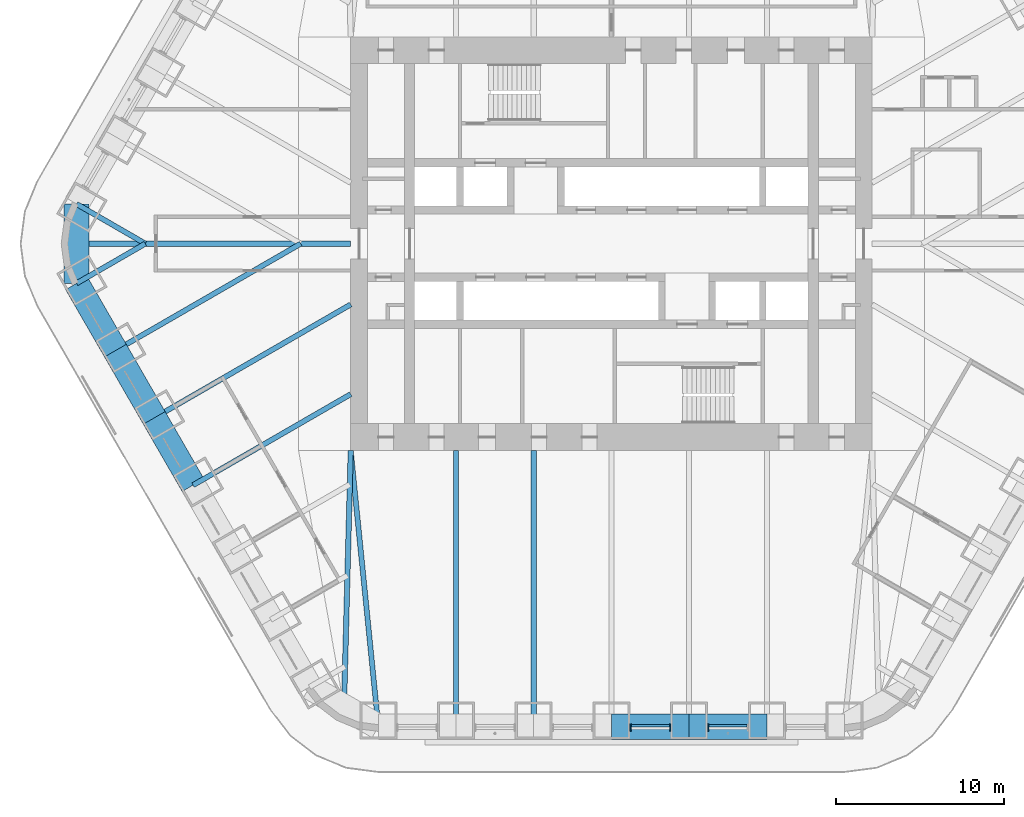
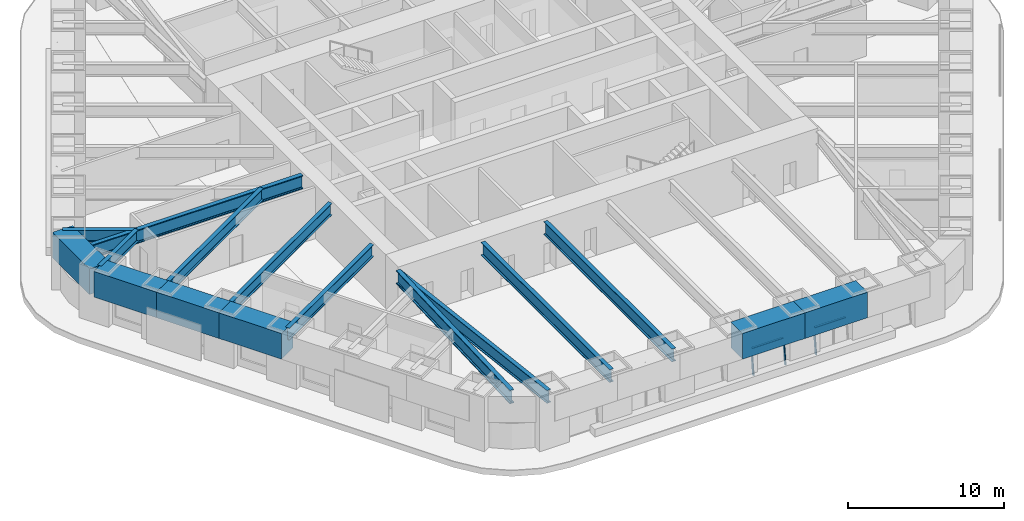
# One storey, part 3 of 20: 16 beams, 5 members, 2 elements without a shape of their own.
"""IFC4 building model written with IfcOpenShell, lengths in metres."""

from ifc_helpers import new_model, si_unit, direction, frame, origin, origin_2d, place, context, subcontext, project, spatial, rectangle, i_section, extrude, material, material_profile, profile_set, type_object, element, aggregate, save


model = new_model("IFC4")

# Units and contexts
model_context = context("Model", 3, precision=1e-05, world=origin(), true_north=direction((0.0, 1.0)))
body_context = subcontext(model_context, "Body", "Model", "MODEL_VIEW")
ifc_project = project(units=[si_unit("LENGTHUNIT", "METRE"), si_unit("AREAUNIT", "SQUARE_METRE"), si_unit("VOLUMEUNIT", "CUBIC_METRE"), si_unit("PLANEANGLEUNIT", "RADIAN"), si_unit("MASSUNIT", "GRAM", prefix="KILO")], contexts=[model_context])

# Site, building, storey
site_placement = place(None, origin())
site = spatial("IfcSite", under=ifc_project, at=site_placement, CompositionType="ELEMENT")
building_placement = place(site_placement, origin())
building = spatial("IfcBuilding", under=site, at=building_placement, Name="Tarfa Lantern Tower", CompositionType="ELEMENT")
storey_placement = place(building_placement, frame((0.0, 0.0, 215.5)))
storey = spatial("IfcBuildingStorey", under=building, at=storey_placement, Name="L48", CompositionType="ELEMENT", Elevation=215.5)

# Curtain wall, members
ifc_material_1 = material(Name="Aluminium framed curtain wall", Category="aluminium")
curtain_wall_type = type_object("IfcCurtainWallType", Name="CW3 CANTED GLAZING HIGH ZONE 2000", PredefinedType="USERDEFINED", material=ifc_material_1)
curtain_wall_1_placement = place(storey_placement, origin())
curtain_wall_1 = element("IfcCurtainWall", 1, at=curtain_wall_1_placement, inside=storey, type_object=curtain_wall_type, Name="CW3 S L48", ObjectType="CURTAIN WALL", PredefinedType="USERDEFINED")
ifc_material_2 = material(Name="Aluminium mullion", Category="aluminium")
ifc_material_profile_1 = material_profile(ifc_material_2, rectangle(XDim=0.06494140625, YDim=0.199951171875, at=origin_2d()), Name="AL MULLION 65x200")
ifc_profile_set_1 = profile_set([ifc_material_profile_1], Name="Aluminium mullion")
member_type_1 = type_object("IfcMemberType", Name="CWM1 MULLION 65x200", PredefinedType="MULLION", material=ifc_profile_set_1)
member_1_placement = place(storey_placement, frame((1.132568359375, -28.89990234375, 0.0), z_axis=(0.0, 0.124034734589, 0.992277876714), x_axis=(-1.0, 0.0, 0.0)))
member_1 = element("IfcMember", 2, at=member_1_placement, type_object=member_type_1, Name="CW3 mullion 1", PredefinedType="MULLION", context=body_context, shape_type="SweptSolid", body=[
    extrude(rectangle(XDim=0.06494140625, YDim=0.199951171875, at=origin_2d()), origin(), (0.0, 0.0, 1.0), 2.015625),
])
member_2_placement = place(storey_placement, frame((3.486328125, -28.89990234375, 0.0), z_axis=(0.0, 0.124034734589, 0.992277876714), x_axis=(-1.0, 0.0, 0.0)))
member_2 = element("IfcMember", 3, at=member_2_placement, type_object=member_type_1, Name="CW3 mullion 2", PredefinedType="MULLION", context=body_context, shape_type="SweptSolid", body=[
    extrude(rectangle(XDim=0.06494140625, YDim=0.199951171875, at=origin_2d()), origin(), (0.0, 0.0, 1.0), 2.015625),
])

# Curtain wall, member
curtain_wall_2_placement = place(storey_placement, origin())
curtain_wall_2 = element("IfcCurtainWall", 4, at=curtain_wall_2_placement, inside=storey, type_object=curtain_wall_type, Name="CW3 S L48", ObjectType="CURTAIN WALL", PredefinedType="USERDEFINED")
member_3_placement = place(storey_placement, frame((5.751220703125, -28.89990234375, 0.0), z_axis=(0.0, 0.124034734589, 0.992277876714), x_axis=(-1.0, 0.0, 0.0)))
member_3 = element("IfcMember", 5, at=member_3_placement, type_object=member_type_1, Name="CW3 mullion 1", PredefinedType="MULLION", context=body_context, shape_type="SweptSolid", body=[
    extrude(rectangle(XDim=0.06494140625, YDim=0.199951171875, at=origin_2d()), origin(), (0.0, 0.0, 1.0), 2.015625),
])

# Member
ifc_material_3 = material(Name="Aluminium transom", Category="aluminium")
ifc_material_profile_2 = material_profile(ifc_material_3, rectangle(XDim=0.14990234375, YDim=0.06494140625, at=origin_2d()), Name="AL TRANSOM 150x65")
ifc_profile_set_2 = profile_set([ifc_material_profile_2], Name="Aluminium transom")
member_type_2 = type_object("IfcMemberType", Name="CWT1 TRANSOM 150x65", PredefinedType="USERDEFINED", material=ifc_profile_set_2)
member_4_placement = place(storey_placement, frame((1.1650390625, -28.654052734375, 1.967529296875), z_axis=(1.0, 0.0, 0.0), x_axis=(0.0, 1.0, 0.0)))
member_4 = element("IfcMember", 6, at=member_4_placement, type_object=member_type_2, Name="CW3 transom 1.2", ObjectType="TRANSOM", PredefinedType="USERDEFINED", context=body_context, shape_type="SweptSolid", body=[
    extrude(rectangle(XDim=0.14990234375, YDim=0.06494140625, at=origin_2d()), origin(), (0.0, 0.0, 1.0), 2.288818359375),
])

aggregate(curtain_wall_1, [member_1, member_2, member_4])

member_5_placement = place(storey_placement, frame((5.78369140625, -28.654052734375, 1.967529296875), z_axis=(1.0, 0.0, 0.0), x_axis=(0.0, 1.0, 0.0)))
member_5 = element("IfcMember", 7, at=member_5_placement, type_object=member_type_2, Name="CW3 transom 1.2", ObjectType="TRANSOM", PredefinedType="USERDEFINED", context=body_context, shape_type="SweptSolid", body=[
    extrude(rectangle(XDim=0.14990234375, YDim=0.06494140625, at=origin_2d()), origin(), (0.0, 0.0, 1.0), 2.288818359375),
])

aggregate(curtain_wall_2, [member_3, member_5])

# Beams
ifc_material_4 = material(Name="Concrete C80/95", Category="concrete")
ifc_material_profile_3 = material_profile(ifc_material_4, rectangle(XDim=1.5, YDim=2.0, at=origin_2d()), Name="RC 1500x2000")
ifc_profile_set_3 = profile_set([ifc_material_profile_3], Name="Concrete C80/95")
beam_type_1 = type_object("IfcBeamType", Name="RB3 RC 1500x2000", PredefinedType="BEAM", material=ifc_profile_set_3)
beam_1_placement = place(storey_placement, frame((-31.800537109375, 2.360107421875, 3.0), z_axis=(0.0, -1.0, 0.0), x_axis=(1.0, 0.0, 0.0)))
element("IfcBeam", 8, at=beam_1_placement, inside=storey, type_object=beam_type_1, Name="Edge beam NW6", PredefinedType="BEAM", context=body_context, shape_type="SweptSolid", body=[
    extrude(rectangle(XDim=1.5, YDim=2.0, at=origin_2d()), origin(), (0.0, 0.0, 1.0), 4.72021484375),
])
beam_2_placement = place(storey_placement, frame((-31.800537109375, -2.360107421875, 3.0), z_axis=(0.500027479704, -0.866009537788, 0.0), x_axis=(0.866009537788, 0.500027479704, 0.0)))
element("IfcBeam", 9, at=beam_2_placement, inside=storey, type_object=beam_type_1, Name="Edge beam SW0", PredefinedType="BEAM", context=body_context, shape_type="SweptSolid", body=[
    extrude(rectangle(XDim=1.5, YDim=2.0, at=origin_2d()), origin(), (0.0, 0.0, 1.0), 4.618896484375),
])
for number, where, z_axis, x_axis, name in (
    (10, (-29.490966796875, -6.360107421875, 3.0), (0.499987836815, -0.866032426089, 0.0), (0.866032426089, 0.499987836815, 0.0), "Edge beam SW1"),
    (11, (-27.181640625, -10.360107421875, 3.0), (0.499987836815, -0.866032426089, 0.0), (0.866032426089, 0.499987836815, 0.0), "Edge beam SW2"),
):
    element("IfcBeam", number, at=place(storey_placement, frame(where, z_axis=z_axis, x_axis=x_axis)), inside=storey, type_object=beam_type_1, Name=name, PredefinedType="BEAM", context=body_context, shape_type="SweptSolid", body=[
        extrude(rectangle(XDim=1.5, YDim=2.0, at=origin_2d()), origin(), (0.0, 0.0, 1.0), 4.61865234375),
    ])
beam_3_placement = place(storey_placement, frame((0.0, -28.719970703125, 3.0), z_axis=(1.0, 0.0, 0.0), x_axis=(0.0, 1.0, 0.0)))
element("IfcBeam", 12, at=beam_3_placement, inside=storey, type_object=beam_type_1, Name="Edge beam S3", PredefinedType="BEAM", context=body_context, shape_type="SweptSolid", body=[
    extrude(rectangle(XDim=1.5, YDim=2.0, at=origin_2d()), origin(), (0.0, 0.0, 1.0), 4.618896484375),
])
beam_4_placement = place(storey_placement, frame((4.618896484375, -28.719970703125, 3.0), z_axis=(1.0, 0.0, 0.0), x_axis=(0.0, 1.0, 0.0)))
element("IfcBeam", 13, at=beam_4_placement, inside=storey, type_object=beam_type_1, Name="Edge beam S4", PredefinedType="BEAM", context=body_context, shape_type="SweptSolid", body=[
    extrude(rectangle(XDim=1.5, YDim=2.0, at=origin_2d()), origin(), (0.0, 0.0, 1.0), 4.61865234375),
])
ifc_material_5 = material(Name="Steel S460M", Category="steel")
ifc_material_profile_4 = material_profile(ifc_material_5, i_section(OverallWidth=0.302001953125, OverallDepth=1.008056640625, WebThickness=0.02099609375, FlangeThickness=0.0400390625, FilletRadius=0.030029296875, at=origin_2d()), Name="UB1016x305x349")
ifc_profile_set_4 = profile_set([ifc_material_profile_4], Name="Steel S460M")
beam_type_2 = type_object("IfcBeamType", Name="UB1016x305x349", PredefinedType="BEAM", material=ifc_profile_set_4)
beam_5_placement = place(storey_placement, frame((-13.8564453125, -28.719970703125, 3.495849609375), z_axis=(-0.099597466746, 0.995027810977, 0.0), x_axis=(-0.995027810977, -0.099597466746, 0.0)))
element("IfcBeam", 14, at=beam_5_placement, inside=storey, type_object=beam_type_2, Name="Floor beam S0", PredefinedType="BEAM", context=body_context, shape_type="SweptSolid", body=[
    extrude(i_section(OverallWidth=0.302001953125, OverallDepth=1.008056640625, WebThickness=0.02099609375, FlangeThickness=0.0400390625, FilletRadius=0.030029296875, at=origin_2d()), origin(), (0.0, 0.0, 1.0), 16.501953125),
])
for number, where, z_axis, x_axis, name in (
    (15, (-9.237548828125, -28.719970703125, 3.495849609375), (0.0, 1.0, 0.0), (-1.0, 0.0, 0.0), "Floor beam S1"),
    (16, (-4.618896484375, -28.719970703125, 3.495849609375), (0.0, 1.0, 0.0), (-1.0, 0.0, 0.0), "Floor beam S2"),
):
    element("IfcBeam", number, at=place(storey_placement, frame(where, z_axis=z_axis, x_axis=x_axis)), inside=storey, type_object=beam_type_2, Name=name, PredefinedType="BEAM", context=body_context, shape_type="SweptSolid", body=[
        extrude(i_section(OverallWidth=0.302001953125, OverallDepth=1.008056640625, WebThickness=0.02099609375, FlangeThickness=0.0400390625, FilletRadius=0.030029296875, at=origin_2d()), origin(), (0.0, 0.0, 1.0), 16.419921875),
    ])
ifc_material_profile_5 = material_profile(ifc_material_5, i_section(OverallWidth=0.314208984375, OverallDepth=1.055908203125, WebThickness=0.035888671875, FlangeThickness=0.06396484375, FilletRadius=0.030029296875, at=origin_2d()), Name="UB1016x305x584")
ifc_profile_set_5 = profile_set([ifc_material_profile_5], Name="Steel S460M")
beam_type_3 = type_object("IfcBeamType", Name="UB1016x305x584", PredefinedType="BEAM", material=ifc_profile_set_5)
beam_6_placement = place(storey_placement, frame((-15.5, 0.0, 3.471923828125), z_axis=(-1.0, 0.0, 0.0), x_axis=(0.0, -1.0, 0.0)))
element("IfcBeam", 17, at=beam_6_placement, inside=storey, type_object=beam_type_3, Name="Hip girder W", PredefinedType="BEAM", context=body_context, shape_type="SweptSolid", body=[
    extrude(i_section(OverallWidth=0.314208984375, OverallDepth=1.055908203125, WebThickness=0.035888671875, FlangeThickness=0.06396484375, FilletRadius=0.030029296875, at=origin_2d()), origin(), (0.0, 0.0, 1.0), 16.300537109375),
])
beam_7_placement = place(storey_placement, frame((-15.5, -12.300048828125, 3.471923828125), z_axis=(-0.026247301989, -0.999655480222, 0.0), x_axis=(0.999655480222, -0.026247301989, 0.0)))
element("IfcBeam", 18, at=beam_7_placement, inside=storey, type_object=beam_type_3, Name="Hip girder SW", PredefinedType="BEAM", context=body_context, shape_type="SweptSolid", body=[
    extrude(i_section(OverallWidth=0.314208984375, OverallDepth=1.055908203125, WebThickness=0.035888671875, FlangeThickness=0.06396484375, FilletRadius=0.030029296875, at=origin_2d()), origin(), (0.0, 0.0, 1.0), 15.245361328125),
])
ifc_material_profile_6 = material_profile(ifc_material_5, i_section(OverallWidth=0.305419921875, OverallDepth=0.91845703125, WebThickness=0.017333984375, FlangeThickness=0.02783203125, FilletRadius=0.01904296875, at=origin_2d()), Name="UB914x305x253")
ifc_profile_set_6 = profile_set([ifc_material_profile_6], Name="Steel S460M")
beam_type_4 = type_object("IfcBeamType", Name="UB914x305x253", PredefinedType="BEAM", material=ifc_profile_set_6)
for number, where, z_axis, x_axis, name in (
    (19, (-31.800537109375, 2.360107421875, 3.540771484375), (0.866015897305, -0.500016465344, 0.0), (0.500016465344, 0.866015897305, 0.0), "Floor beam NW6"),
    (20, (-31.800537109375, -2.360107421875, 3.540771484375), (0.866015897305, 0.500016465344, 0.0), (-0.500016465344, 0.866015897305, 0.0), "Floor beam SW0"),
):
    element("IfcBeam", number, at=place(storey_placement, frame(where, z_axis=z_axis, x_axis=x_axis)), inside=storey, type_object=beam_type_4, Name=name, PredefinedType="BEAM", context=body_context, shape_type="SweptSolid", body=[
        extrude(i_section(OverallWidth=0.305419921875, OverallDepth=0.91845703125, WebThickness=0.017333984375, FlangeThickness=0.02783203125, FilletRadius=0.01904296875, at=origin_2d()), origin(), (0.0, 0.0, 1.0), 4.719970703125),
    ])
beam_8_placement = place(storey_placement, frame((-29.490966796875, -6.360107421875, 3.540771484375), z_axis=(0.866022258038, 0.500005448553, 0.0), x_axis=(-0.500005448553, 0.866022258038, 0.0)))
element("IfcBeam", 21, at=beam_8_placement, inside=storey, type_object=beam_type_4, Name="Floor beam SW1", PredefinedType="BEAM", context=body_context, shape_type="SweptSolid", body=[
    extrude(i_section(OverallWidth=0.305419921875, OverallDepth=0.91845703125, WebThickness=0.017333984375, FlangeThickness=0.02783203125, FilletRadius=0.01904296875, at=origin_2d()), origin(), (0.0, 0.0, 1.0), 12.719970703125),
])
beam_9_placement = place(storey_placement, frame((-27.181640625, -10.360107421875, 3.540771484375), z_axis=(0.866018002818, 0.500012818631, 0.0), x_axis=(-0.500012818631, 0.866018002818, 0.0)))
element("IfcBeam", 22, at=beam_9_placement, inside=storey, type_object=beam_type_4, Name="Floor beam SW2", PredefinedType="BEAM", context=body_context, shape_type="SweptSolid", body=[
    extrude(i_section(OverallWidth=0.305419921875, OverallDepth=0.91845703125, WebThickness=0.017333984375, FlangeThickness=0.02783203125, FilletRadius=0.01904296875, at=origin_2d()), origin(), (0.0, 0.0, 1.0), 13.489013671875),
])
beam_10_placement = place(storey_placement, frame((-24.872314453125, -14.360107421875, 3.540771484375), z_axis=(0.8660244219, 0.500001700669, 0.0), x_axis=(-0.500001700669, 0.8660244219, 0.0)))
element("IfcBeam", 23, at=beam_10_placement, inside=storey, type_object=beam_type_4, Name="Floor beam SW3", PredefinedType="BEAM", context=body_context, shape_type="SweptSolid", body=[
    extrude(i_section(OverallWidth=0.305419921875, OverallDepth=0.91845703125, WebThickness=0.017333984375, FlangeThickness=0.02783203125, FilletRadius=0.01904296875, at=origin_2d()), origin(), (0.0, 0.0, 1.0), 10.822265625),
])

save(model, "model.ifc")
